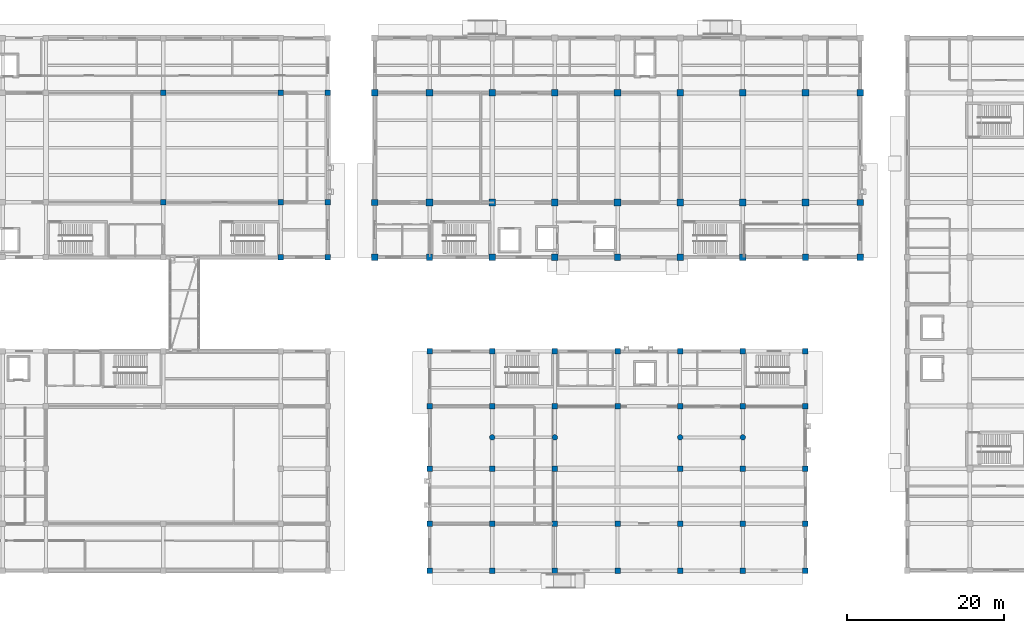
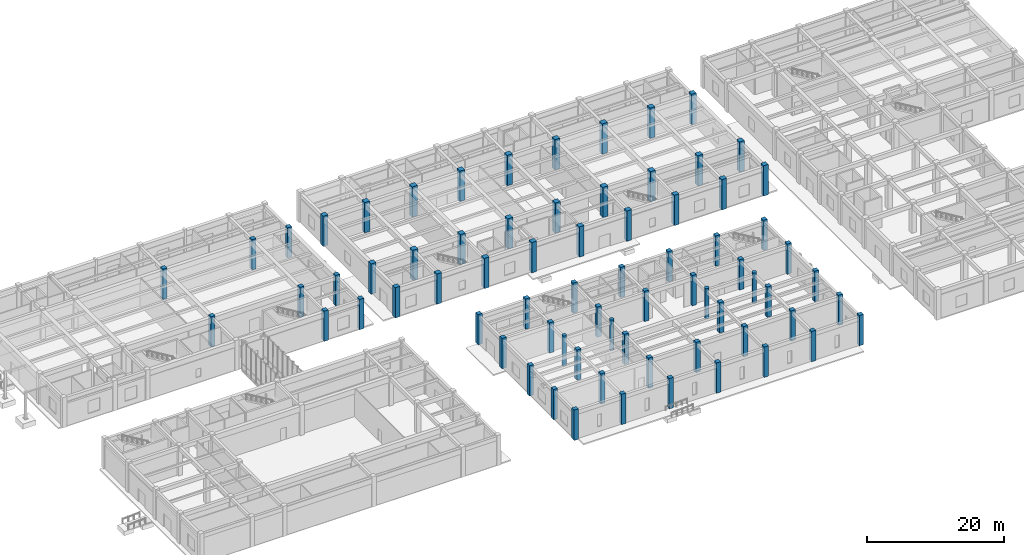
# One storey, part 3 of 40: 73 columns.
"""IFC4 building model written with IfcOpenShell, lengths in metres."""

from ifc_helpers import new_model, si_unit, direction, frame, origin, origin_2d, place, context, subcontext, project, spatial, rectangle, circle, extrude, material, material_profile, profile_set, type_object, element, save


model = new_model("IFC4")

# Units and contexts
model_context = context("Model", 3, precision=1e-05, world=origin(), true_north=direction((0.0, 1.0)))
body_context = subcontext(model_context, "Body", "Model", "MODEL_VIEW")
ifc_project = project(units=[si_unit("LENGTHUNIT", "METRE"), si_unit("AREAUNIT", "SQUARE_METRE"), si_unit("VOLUMEUNIT", "CUBIC_METRE"), si_unit("PLANEANGLEUNIT", "RADIAN"), si_unit("MASSUNIT", "GRAM", prefix="KILO")], contexts=[model_context])

# Site, building, storey
site_placement = place(None, origin())
site = spatial("IfcSite", under=ifc_project, at=site_placement, CompositionType="ELEMENT")
building_placement = place(site_placement, origin())
building = spatial("IfcBuilding", under=site, at=building_placement, Name="Naurynzar Civic Courthouse", CompositionType="ELEMENT")
storey_placement = place(building_placement, origin())
storey = spatial("IfcBuildingStorey", under=building, at=storey_placement, Name="L01", CompositionType="ELEMENT", Elevation=0.0)

# Columns
ifc_material_1 = material(Name="Concrete C40/50", Category="concrete")
ifc_material_profile_1 = material_profile(ifc_material_1, rectangle(XDim=0.699951171875, YDim=0.699951171875, at=origin_2d()), Name="RC 700x700")
ifc_profile_set_1 = profile_set([ifc_material_profile_1], Name="Concrete C40/50")
column_type_1 = type_object("IfcColumnType", Name="COL-RC-700", PredefinedType="COLUMN", material=ifc_profile_set_1)
for number, where, z_axis, x_axis, name in (
    (1, (35.0, 51.0, 0.0), (0.0, 0.0, 1.0), (1.0, 0.0, 0.0), "V1 column (35.0,51.0) L01"),
    (2, (35.0, 65.0, 0.0), (0.0, 0.0, 1.0), (1.0, 0.0, 0.0), "V1 column (35.0,65.0) L01"),
    (3, (50.0, 44.0, 0.0), (0.0, 0.0, 1.0), (1.0, 0.0, 0.0), "V1 column (50.0,44.0) L01"),
    (4, (50.0, 51.0, 0.0), (0.0, 0.0, 1.0), (1.0, 0.0, 0.0), "V1 column (50.0,51.0) L01"),
    (5, (50.0, 65.0, 0.0), (0.0, 0.0, 1.0), (1.0, 0.0, 0.0), "V1 column (50.0,65.0) L01"),
    (6, (56.0, 44.0, 0.0), (0.0, 0.0, 1.0), (1.0, 0.0, 0.0), "V1 column (56.0,44.0) L01"),
    (7, (56.0, 51.0, 0.0), (0.0, 0.0, 1.0), (1.0, 0.0, 0.0), "V1 column (56.0,51.0) L01"),
    (8, (56.0, 65.0, 0.0), (0.0, 0.0, 1.0), (1.0, 0.0, 0.0), "V1 column (56.0,65.0) L01"),
    (9, (69.0, 4.0, 0.0), (0.0, 0.0, 1.0), (1.0, 0.0, 0.0), "V3 column (69.0,4.0) L01"),
    (10, (69.0, 10.0, 0.0), (0.0, 0.0, 1.0), (1.0, 0.0, 0.0), "V3 column (69.0,10.0) L01"),
    (11, (69.0, 17.0, 0.0), (0.0, 0.0, 1.0), (1.0, 0.0, 0.0), "V3 column (69.0,17.0) L01"),
    (12, (69.0, 25.0, 0.0), (0.0, 0.0, 1.0), (1.0, 0.0, 0.0), "V3 column (69.0,25.0) L01"),
    (13, (69.0, 32.0, 0.0), (0.0, 0.0, 1.0), (1.0, 0.0, 0.0), "V3 column (69.0,32.0) L01"),
    (14, (77.0, 4.0, 0.0), (0.0, 0.0, 1.0), (1.0, 0.0, 0.0), "V3 column (77.0,4.0) L01"),
    (15, (77.0, 10.0, 0.0), (0.0, 0.0, 1.0), (1.0, 0.0, 0.0), "V3 column (77.0,10.0) L01"),
    (16, (77.0, 17.0, 0.0), (0.0, 0.0, 1.0), (1.0, 0.0, 0.0), "V3 column (77.0,17.0) L01"),
    (17, (77.0, 25.0, 0.0), (0.0, 0.0, 1.0), (1.0, 0.0, 0.0), "V3 column (77.0,25.0) L01"),
    (18, (77.0, 32.0, 0.0), (0.0, 0.0, 1.0), (1.0, 0.0, 0.0), "V3 column (77.0,32.0) L01"),
    (19, (85.0, 4.0, 0.0), (0.0, 0.0, 1.0), (1.0, 0.0, 0.0), "V3 column (85.0,4.0) L01"),
    (20, (85.0, 10.0, 0.0), (0.0, 0.0, 1.0), (1.0, 0.0, 0.0), "V3 column (85.0,10.0) L01"),
    (21, (85.0, 17.0, 0.0), (0.0, 0.0, 1.0), (1.0, 0.0, 0.0), "V3 column (85.0,17.0) L01"),
    (22, (85.0, 25.0, 0.0), (0.0, 0.0, 1.0), (1.0, 0.0, 0.0), "V3 column (85.0,25.0) L01"),
    (23, (85.0, 32.0, 0.0), (0.0, 0.0, 1.0), (1.0, 0.0, 0.0), "V3 column (85.0,32.0) L01"),
    (24, (93.0, 4.0, 0.0), (0.0, 0.0, 1.0), (1.0, 0.0, 0.0), "V3 column (93.0,4.0) L01"),
    (25, (93.0, 10.0, 0.0), (0.0, 0.0, 1.0), (1.0, 0.0, 0.0), "V3 column (93.0,10.0) L01"),
    (26, (93.0, 25.0, 0.0), (0.0, 0.0, 1.0), (1.0, 0.0, 0.0), "V3 column (93.0,25.0) L01"),
    (27, (93.0, 32.0, 0.0), (0.0, 0.0, 1.0), (1.0, 0.0, 0.0), "V3 column (93.0,32.0) L01"),
    (28, (101.0, 4.0, 0.0), (0.0, 0.0, 1.0), (1.0, 0.0, 0.0), "V3 column (101.0,4.0) L01"),
    (29, (101.0, 10.0, 0.0), (0.0, 0.0, 1.0), (1.0, 0.0, 0.0), "V3 column (101.0,10.0) L01"),
    (30, (101.0, 17.0, 0.0), (0.0, 0.0, 1.0), (1.0, 0.0, 0.0), "V3 column (101.0,17.0) L01"),
    (31, (101.0, 25.0, 0.0), (0.0, 0.0, 1.0), (1.0, 0.0, 0.0), "V3 column (101.0,25.0) L01"),
    (32, (101.0, 32.0, 0.0), (0.0, 0.0, 1.0), (1.0, 0.0, 0.0), "V3 column (101.0,32.0) L01"),
    (33, (109.0, 4.0, 0.0), (0.0, 0.0, 1.0), (1.0, 0.0, 0.0), "V3 column (109.0,4.0) L01"),
    (34, (109.0, 10.0, 0.0), (0.0, 0.0, 1.0), (1.0, 0.0, 0.0), "V3 column (109.0,10.0) L01"),
    (35, (109.0, 17.0, 0.0), (0.0, 0.0, 1.0), (1.0, 0.0, 0.0), "V3 column (109.0,17.0) L01"),
    (36, (109.0, 25.0, 0.0), (0.0, 0.0, 1.0), (1.0, 0.0, 0.0), "V3 column (109.0,25.0) L01"),
    (37, (109.0, 32.0, 0.0), (0.0, 0.0, 1.0), (1.0, 0.0, 0.0), "V3 column (109.0,32.0) L01"),
    (38, (117.0, 4.0, 0.0), (0.0, 0.0, 1.0), (1.0, 0.0, 0.0), "V3 column (117.0,4.0) L01"),
    (39, (117.0, 10.0, 0.0), (0.0, 0.0, 1.0), (1.0, 0.0, 0.0), "V3 column (117.0,10.0) L01"),
    (40, (117.0, 17.0, 0.0), (0.0, 0.0, 1.0), (1.0, 0.0, 0.0), "V3 column (117.0,17.0) L01"),
    (41, (117.0, 25.0, 0.0), (0.0, 0.0, 1.0), (1.0, 0.0, 0.0), "V3 column (117.0,25.0) L01"),
    (42, (117.0, 32.0, 0.0), (0.0, 0.0, 1.0), (1.0, 0.0, 0.0), "V3 column (117.0,32.0) L01"),
):
    element("IfcColumn", number, at=place(storey_placement, frame(where, z_axis=z_axis, x_axis=x_axis)), inside=storey, type_object=column_type_1, Name=name, PredefinedType="COLUMN", context=body_context, shape_type="SweptSolid", body=[
        extrude(rectangle(XDim=0.699951171875, YDim=0.699951171875, at=origin_2d()), origin(), (0.0, 0.0, 1.0), 5.39990234375),
    ])
ifc_material_2 = material(Name="Concrete C40/50", Category="concrete")
ifc_material_profile_2 = material_profile(ifc_material_2, rectangle(XDim=0.800048828125, YDim=0.800048828125, at=origin_2d()), Name="RC 800x800")
ifc_profile_set_2 = profile_set([ifc_material_profile_2], Name="Concrete C40/50")
column_type_2 = type_object("IfcColumnType", Name="COL-RC-800", PredefinedType="COLUMN", material=ifc_profile_set_2)
for number, where, z_axis, x_axis, name in (
    (43, (62.0, 44.0, 0.0), (0.0, 0.0, 1.0), (1.0, 0.0, 0.0), "V2 column (62.0,44.0) L01"),
    (44, (62.0, 51.0, 0.0), (0.0, 0.0, 1.0), (1.0, 0.0, 0.0), "V2 column (62.0,51.0) L01"),
    (45, (62.0, 65.0, 0.0), (0.0, 0.0, 1.0), (1.0, 0.0, 0.0), "V2 column (62.0,65.0) L01"),
    (46, (69.0, 44.0, 0.0), (0.0, 0.0, 1.0), (1.0, 0.0, 0.0), "V2 column (69.0,44.0) L01"),
    (47, (77.0, 44.0, 0.0), (0.0, 0.0, 1.0), (1.0, 0.0, 0.0), "V2 column (77.0,44.0) L01"),
    (48, (85.0, 44.0, 0.0), (0.0, 0.0, 1.0), (1.0, 0.0, 0.0), "V2 column (85.0,44.0) L01"),
    (49, (93.0, 44.0, 0.0), (0.0, 0.0, 1.0), (1.0, 0.0, 0.0), "V2 column (93.0,44.0) L01"),
    (50, (101.0, 44.0, 0.0), (0.0, 0.0, 1.0), (1.0, 0.0, 0.0), "V2 column (101.0,44.0) L01"),
    (51, (109.0, 44.0, 0.0), (0.0, 0.0, 1.0), (1.0, 0.0, 0.0), "V2 column (109.0,44.0) L01"),
    (52, (117.0, 44.0, 0.0), (0.0, 0.0, 1.0), (1.0, 0.0, 0.0), "V2 column (117.0,44.0) L01"),
    (53, (124.0, 44.0, 0.0), (0.0, 0.0, 1.0), (1.0, 0.0, 0.0), "V2 column (124.0,44.0) L01"),
    (54, (124.0, 51.0, 0.0), (0.0, 0.0, 1.0), (1.0, 0.0, 0.0), "V2 column (124.0,51.0) L01"),
    (55, (124.0, 65.0, 0.0), (0.0, 0.0, 1.0), (1.0, 0.0, 0.0), "V2 column (124.0,65.0) L01"),
):
    element("IfcColumn", number, at=place(storey_placement, frame(where, z_axis=z_axis, x_axis=x_axis)), inside=storey, type_object=column_type_2, Name=name, PredefinedType="COLUMN", context=body_context, shape_type="SweptSolid", body=[
        extrude(rectangle(XDim=0.800048828125, YDim=0.800048828125, at=origin_2d()), origin(), (0.0, 0.0, 1.0), 5.39990234375),
    ])
ifc_material_3 = material(Name="Concrete C40/50", Category="concrete")
ifc_material_profile_3 = material_profile(ifc_material_3, rectangle(XDim=0.85009765625, YDim=0.85009765625, at=origin_2d()), Name="RC 850x850")
ifc_profile_set_3 = profile_set([ifc_material_profile_3], Name="Concrete C40/50")
column_type_3 = type_object("IfcColumnType", Name="COL-RC-850x850", PredefinedType="COLUMN", material=ifc_profile_set_3)
for number, where, z_axis, x_axis, name in (
    (56, (69.0, 51.0, 0.0), (0.0, 0.0, 1.0), (1.0, 0.0, 0.0), "V2 column (69.0,51.0) L01"),
    (57, (69.0, 65.0, 0.0), (0.0, 0.0, 1.0), (1.0, 0.0, 0.0), "V2 column (69.0,65.0) L01"),
    (58, (77.0, 51.0, 0.0), (0.0, 0.0, 1.0), (1.0, 0.0, 0.0), "V2 column (77.0,51.0) L01"),
    (59, (77.0, 65.0, 0.0), (0.0, 0.0, 1.0), (1.0, 0.0, 0.0), "V2 column (77.0,65.0) L01"),
    (60, (85.0, 51.0, 0.0), (0.0, 0.0, 1.0), (1.0, 0.0, 0.0), "V2 column (85.0,51.0) L01"),
    (61, (85.0, 65.0, 0.0), (0.0, 0.0, 1.0), (1.0, 0.0, 0.0), "V2 column (85.0,65.0) L01"),
    (62, (93.0, 51.0, 0.0), (0.0, 0.0, 1.0), (1.0, 0.0, 0.0), "V2 column (93.0,51.0) L01"),
    (63, (93.0, 65.0, 0.0), (0.0, 0.0, 1.0), (1.0, 0.0, 0.0), "V2 column (93.0,65.0) L01"),
    (64, (101.0, 51.0, 0.0), (0.0, 0.0, 1.0), (1.0, 0.0, 0.0), "V2 column (101.0,51.0) L01"),
    (65, (101.0, 65.0, 0.0), (0.0, 0.0, 1.0), (1.0, 0.0, 0.0), "V2 column (101.0,65.0) L01"),
    (66, (109.0, 51.0, 0.0), (0.0, 0.0, 1.0), (1.0, 0.0, 0.0), "V2 column (109.0,51.0) L01"),
    (67, (109.0, 65.0, 0.0), (0.0, 0.0, 1.0), (1.0, 0.0, 0.0), "V2 column (109.0,65.0) L01"),
    (68, (117.0, 51.0, 0.0), (0.0, 0.0, 1.0), (1.0, 0.0, 0.0), "V2 column (117.0,51.0) L01"),
    (69, (117.0, 65.0, 0.0), (0.0, 0.0, 1.0), (1.0, 0.0, 0.0), "V2 column (117.0,65.0) L01"),
):
    element("IfcColumn", number, at=place(storey_placement, frame(where, z_axis=z_axis, x_axis=x_axis)), inside=storey, type_object=column_type_3, Name=name, PredefinedType="COLUMN", context=body_context, shape_type="SweptSolid", body=[
        extrude(rectangle(XDim=0.85009765625, YDim=0.85009765625, at=origin_2d()), origin(), (0.0, 0.0, 1.0), 5.39990234375),
    ])
ifc_material_4 = material(Name="Concrete C40/50", Category="concrete")
ifc_material_profile_4 = material_profile(ifc_material_4, circle(Radius=0.35009765625, at=origin_2d()), Name="RC D700")
ifc_profile_set_4 = profile_set([ifc_material_profile_4], Name="Concrete C40/50")
column_type_4 = type_object("IfcColumnType", Name="COL-RC-D700", PredefinedType="COLUMN", material=ifc_profile_set_4)
for number, where, z_axis, x_axis, name in (
    (70, (77.0, 21.0, 0.0), (0.0, 0.0, 1.0), (1.0, 0.0, 0.0), "Law Library central spine column 77 L01"),
    (71, (85.0, 21.0, 0.0), (0.0, 0.0, 1.0), (1.0, 0.0, 0.0), "Law Library central spine column 85 L01"),
    (72, (101.0, 21.0, 0.0), (0.0, 0.0, 1.0), (1.0, 0.0, 0.0), "Law Library central spine column 101 L01"),
    (73, (109.0, 21.0, 0.0), (0.0, 0.0, 1.0), (1.0, 0.0, 0.0), "Law Library central spine column 109 L01"),
):
    element("IfcColumn", number, at=place(storey_placement, frame(where, z_axis=z_axis, x_axis=x_axis)), inside=storey, type_object=column_type_4, Name=name, PredefinedType="COLUMN", context=body_context, shape_type="SweptSolid", body=[
        extrude(circle(Radius=0.35009765625, at=origin_2d()), origin(), (0.0, 0.0, 1.0), 5.39990234375),
    ])

save(model, "model.ifc")
